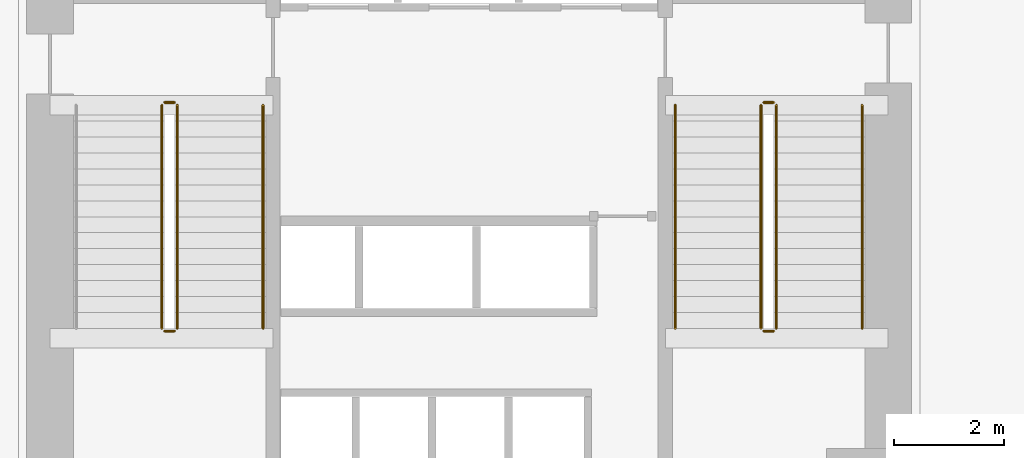
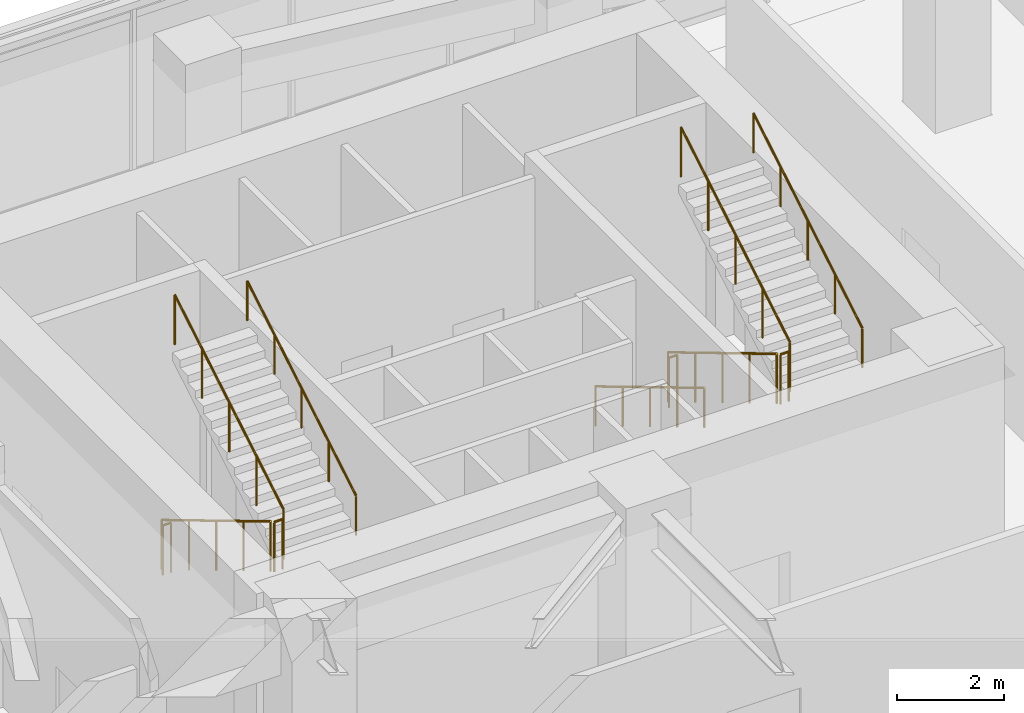
# One storey, part 17 of 18: 11 railings.
"""IFC4 building model written with IfcOpenShell, lengths in metres."""

from ifc_helpers import new_model, si_unit, direction, frame, origin, origin_2d, place, context, subcontext, project, spatial, circle, extrude, material, type_object, element, save


model = new_model("IFC4")

# Units and contexts
model_context = context("Model", 3, precision=1e-05, world=origin(), true_north=direction((0.0, 1.0)))
body_context = subcontext(model_context, "Body", "Model", "MODEL_VIEW")
ifc_project = project(units=[si_unit("LENGTHUNIT", "METRE"), si_unit("AREAUNIT", "SQUARE_METRE"), si_unit("VOLUMEUNIT", "CUBIC_METRE"), si_unit("PLANEANGLEUNIT", "RADIAN"), si_unit("MASSUNIT", "GRAM", prefix="KILO")], contexts=[model_context])

# Site, building, storey
site_placement = place(None, origin())
site = spatial("IfcSite", under=ifc_project, at=site_placement, CompositionType="ELEMENT")
building_placement = place(site_placement, origin())
building = spatial("IfcBuilding", under=site, at=building_placement, Name="Calvemar Wedge Station Tower", CompositionType="ELEMENT")
storey_placement = place(building_placement, frame((0.0, 0.0, 11.199951171875)))
storey = spatial("IfcBuildingStorey", under=building, at=storey_placement, Name="L03", CompositionType="ELEMENT", Elevation=11.199951171875)

# Railings
ifc_material_1 = material(Name="Stainless steel AISI 316L", Category="steel")
railing_type_1 = type_object("IfcRailingType", Name="RL-HANDRAIL-920", PredefinedType="HANDRAIL", material=ifc_material_1)
railing_1_placement = place(storey_placement, frame((20.050048828125, 37.090087890625, 2.7734375)))
element("IfcRailing", 1, at=railing_1_placement, inside=storey, type_object=railing_type_1, Name="L03 ST-C1 stair handrail 2", PredefinedType="HANDRAIL", context=body_context, shape_type="SweptSolid", body=[
    extrude(circle(Radius=0.02392578125, at=origin_2d()), frame((0.0, 0.0, 0.89599609375), z_axis=(0.0, 0.858366167383, 0.513037545109), x_axis=(-1.0, 0.0, 0.0)), (0.0, 0.0, 1.0), 4.729736328125),
    extrude(circle(Radius=0.02099609375, at=origin_2d()), origin(), (0.0, 0.0, 1.0), 0.871826171875),
    extrude(circle(Radius=0.02099609375, at=origin_2d()), frame((0.0, 1.014892578125, 0.606689453125)), (0.0, 0.0, 1.0), 0.871826171875),
    extrude(circle(Radius=0.02099609375, at=origin_2d()), frame((0.0, 2.02978515625, 1.21337890625)), (0.0, 0.0, 1.0), 0.871826171875),
    extrude(circle(Radius=0.02099609375, at=origin_2d()), frame((0.0, 3.044921875, 1.81982421875)), (0.0, 0.0, 1.0), 0.871826171875),
    extrude(circle(Radius=0.02099609375, at=origin_2d()), frame((0.0, 4.059814453125, 2.426513671875)), (0.0, 0.0, 1.0), 0.871826171875),
])
railing_2_placement = place(storey_placement, frame((27.550048828125, 41.14990234375, 0.17333984375)))
element("IfcRailing", 2, at=railing_2_placement, inside=storey, type_object=railing_type_1, Name="L03 ST-C2 stair handrail 1", PredefinedType="HANDRAIL", context=body_context, shape_type="SweptSolid", body=[
    extrude(circle(Radius=0.02392578125, at=origin_2d()), frame((0.0, 0.0, 0.89599609375), z_axis=(0.0, -0.858343435637, 0.513075575815), x_axis=(1.0, 0.0, 0.0)), (0.0, 0.0, 1.0), 4.729736328125),
    extrude(circle(Radius=0.02099609375, at=origin_2d()), origin(), (0.0, 0.0, 1.0), 0.871826171875),
    extrude(circle(Radius=0.02099609375, at=origin_2d()), frame((0.0, -1.014892578125, 0.606689453125)), (0.0, 0.0, 1.0), 0.871826171875),
    extrude(circle(Radius=0.02099609375, at=origin_2d()), frame((0.0, -2.02978515625, 1.21337890625)), (0.0, 0.0, 1.0), 0.871826171875),
    extrude(circle(Radius=0.02099609375, at=origin_2d()), frame((0.0, -3.044921875, 1.820068359375)), (0.0, 0.0, 1.0), 0.871826171875),
    extrude(circle(Radius=0.02099609375, at=origin_2d()), frame((0.0, -4.059814453125, 2.4267578125)), (0.0, 0.0, 1.0), 0.871826171875),
])
railing_3_placement = place(storey_placement, frame((30.949951171875, 37.090087890625, 2.7734375)))
element("IfcRailing", 3, at=railing_3_placement, inside=storey, type_object=railing_type_1, Name="L03 ST-C2 stair handrail 2", PredefinedType="HANDRAIL", context=body_context, shape_type="SweptSolid", body=[
    extrude(circle(Radius=0.02392578125, at=origin_2d()), frame((0.0, 0.0, 0.89599609375), z_axis=(0.0, 0.858366167383, 0.513037545109), x_axis=(-1.0, 0.0, 0.0)), (0.0, 0.0, 1.0), 4.729736328125),
    extrude(circle(Radius=0.02099609375, at=origin_2d()), origin(), (0.0, 0.0, 1.0), 0.871826171875),
    extrude(circle(Radius=0.02099609375, at=origin_2d()), frame((0.0, 1.014892578125, 0.606689453125)), (0.0, 0.0, 1.0), 0.871826171875),
    extrude(circle(Radius=0.02099609375, at=origin_2d()), frame((0.0, 2.02978515625, 1.21337890625)), (0.0, 0.0, 1.0), 0.871826171875),
    extrude(circle(Radius=0.02099609375, at=origin_2d()), frame((0.0, 3.044921875, 1.81982421875)), (0.0, 0.0, 1.0), 0.871826171875),
    extrude(circle(Radius=0.02099609375, at=origin_2d()), frame((0.0, 4.059814453125, 2.426513671875)), (0.0, 0.0, 1.0), 0.871826171875),
])
ifc_material_2 = material(Name="Painted steel guardrail ASTM A500 Grade C", Category="steel")
railing_type_2 = type_object("IfcRailingType", Name="RL-STAIR-GUARD-1150", PredefinedType="GUARDRAIL", material=ifc_material_2)
railing_4_placement = place(storey_placement, frame((18.2099609375, 41.14990234375, 0.17333984375)))
element("IfcRailing", 4, at=railing_4_placement, inside=storey, type_object=railing_type_2, Name="L03 ST-C1 stair guard 1", PredefinedType="GUARDRAIL", context=body_context, shape_type="SweptSolid", body=[
    extrude(circle(Radius=0.02392578125, at=origin_2d()), frame((0.0, 0.0, 1.1259765625), z_axis=(0.0, -0.858343435637, 0.513075575815), x_axis=(1.0, 0.0, 0.0)), (0.0, 0.0, 1.0), 4.729736328125),
    extrude(circle(Radius=0.02099609375, at=origin_2d()), origin(), (0.0, 0.0, 1.0), 1.101806640625),
    extrude(circle(Radius=0.02099609375, at=origin_2d()), frame((0.0, -1.014892578125, 0.606689453125)), (0.0, 0.0, 1.0), 1.101806640625),
    extrude(circle(Radius=0.02099609375, at=origin_2d()), frame((0.0, -2.02978515625, 1.21337890625)), (0.0, 0.0, 1.0), 1.101806640625),
    extrude(circle(Radius=0.02099609375, at=origin_2d()), frame((0.0, -3.044921875, 1.820068359375)), (0.0, 0.0, 1.0), 1.101806640625),
    extrude(circle(Radius=0.02099609375, at=origin_2d()), frame((0.0, -4.059814453125, 2.4267578125)), (0.0, 0.0, 1.0), 1.101806640625),
])
railing_5_placement = place(storey_placement, frame((18.260009765625, 37.0400390625, 2.60009765625)))
element("IfcRailing", 5, at=railing_5_placement, inside=storey, type_object=railing_type_2, Name="L03 ST-C1 stair guard 2", PredefinedType="GUARDRAIL", context=body_context, shape_type="SweptSolid", body=[
    extrude(circle(Radius=0.02392578125, at=origin_2d()), frame((0.0, 0.0, 1.1259765625), z_axis=(1.0, 0.0, 0.0), x_axis=(0.0, 1.0, 0.0)), (0.0, 0.0, 1.0), 0.179931640625),
    extrude(circle(Radius=0.02099609375, at=origin_2d()), origin(), (0.0, 0.0, 1.0), 1.101806640625),
    extrude(circle(Radius=0.02099609375, at=origin_2d()), frame((0.179931640625, 0.0, 0.0)), (0.0, 0.0, 1.0), 1.101806640625),
])
railing_6_placement = place(storey_placement, frame((18.489990234375, 37.090087890625, 2.7734375)))
element("IfcRailing", 6, at=railing_6_placement, inside=storey, type_object=railing_type_2, Name="L03 ST-C1 stair guard 3", PredefinedType="GUARDRAIL", context=body_context, shape_type="SweptSolid", body=[
    extrude(circle(Radius=0.02392578125, at=origin_2d()), frame((0.0, 0.0, 1.1259765625), z_axis=(0.0, 0.858366167383, 0.513037545109), x_axis=(-1.0, 0.0, 0.0)), (0.0, 0.0, 1.0), 4.729736328125),
    extrude(circle(Radius=0.02099609375, at=origin_2d()), origin(), (0.0, 0.0, 1.0), 1.101806640625),
    extrude(circle(Radius=0.02099609375, at=origin_2d()), frame((0.0, 1.014892578125, 0.606689453125)), (0.0, 0.0, 1.0), 1.101806640625),
    extrude(circle(Radius=0.02099609375, at=origin_2d()), frame((0.0, 2.02978515625, 1.21337890625)), (0.0, 0.0, 1.0), 1.101806640625),
    extrude(circle(Radius=0.02099609375, at=origin_2d()), frame((0.0, 3.044921875, 1.81982421875)), (0.0, 0.0, 1.0), 1.101806640625),
    extrude(circle(Radius=0.02099609375, at=origin_2d()), frame((0.0, 4.059814453125, 2.426513671875)), (0.0, 0.0, 1.0), 1.101806640625),
])
railing_7_placement = place(storey_placement, frame((18.260009765625, 41.199951171875, 0.0)))
element("IfcRailing", 7, at=railing_7_placement, inside=storey, type_object=railing_type_2, Name="L03 ST-C1 stair guard 4", PredefinedType="GUARDRAIL", context=body_context, shape_type="SweptSolid", body=[
    extrude(circle(Radius=0.02392578125, at=origin_2d()), frame((0.0, 0.0, 1.1259765625), z_axis=(1.0, 0.0, 0.0), x_axis=(0.0, 1.0, 0.0)), (0.0, 0.0, 1.0), 0.179931640625),
    extrude(circle(Radius=0.02099609375, at=origin_2d()), origin(), (0.0, 0.0, 1.0), 1.101806640625),
    extrude(circle(Radius=0.02099609375, at=origin_2d()), frame((0.179931640625, 0.0, 0.0)), (0.0, 0.0, 1.0), 1.101806640625),
])
railing_8_placement = place(storey_placement, frame((29.110107421875, 41.14990234375, 0.17333984375)))
element("IfcRailing", 8, at=railing_8_placement, inside=storey, type_object=railing_type_2, Name="L03 ST-C2 stair guard 1", PredefinedType="GUARDRAIL", context=body_context, shape_type="SweptSolid", body=[
    extrude(circle(Radius=0.02392578125, at=origin_2d()), frame((0.0, 0.0, 1.1259765625), z_axis=(0.0, -0.858343435637, 0.513075575815), x_axis=(1.0, 0.0, 0.0)), (0.0, 0.0, 1.0), 4.729736328125),
    extrude(circle(Radius=0.02099609375, at=origin_2d()), origin(), (0.0, 0.0, 1.0), 1.101806640625),
    extrude(circle(Radius=0.02099609375, at=origin_2d()), frame((0.0, -1.014892578125, 0.606689453125)), (0.0, 0.0, 1.0), 1.101806640625),
    extrude(circle(Radius=0.02099609375, at=origin_2d()), frame((0.0, -2.02978515625, 1.21337890625)), (0.0, 0.0, 1.0), 1.101806640625),
    extrude(circle(Radius=0.02099609375, at=origin_2d()), frame((0.0, -3.044921875, 1.820068359375)), (0.0, 0.0, 1.0), 1.101806640625),
    extrude(circle(Radius=0.02099609375, at=origin_2d()), frame((0.0, -4.059814453125, 2.4267578125)), (0.0, 0.0, 1.0), 1.101806640625),
])
railing_9_placement = place(storey_placement, frame((29.159912109375, 37.0400390625, 2.60009765625)))
element("IfcRailing", 9, at=railing_9_placement, inside=storey, type_object=railing_type_2, Name="L03 ST-C2 stair guard 2", PredefinedType="GUARDRAIL", context=body_context, shape_type="SweptSolid", body=[
    extrude(circle(Radius=0.02392578125, at=origin_2d()), frame((0.0, 0.0, 1.1259765625), z_axis=(1.0, 0.0, 0.0), x_axis=(0.0, 1.0, 0.0)), (0.0, 0.0, 1.0), 0.18017578125),
    extrude(circle(Radius=0.02099609375, at=origin_2d()), origin(), (0.0, 0.0, 1.0), 1.101806640625),
    extrude(circle(Radius=0.02099609375, at=origin_2d()), frame((0.18017578125, 0.0, 0.0)), (0.0, 0.0, 1.0), 1.101806640625),
])
railing_10_placement = place(storey_placement, frame((29.389892578125, 37.090087890625, 2.7734375)))
element("IfcRailing", 10, at=railing_10_placement, inside=storey, type_object=railing_type_2, Name="L03 ST-C2 stair guard 3", PredefinedType="GUARDRAIL", context=body_context, shape_type="SweptSolid", body=[
    extrude(circle(Radius=0.02392578125, at=origin_2d()), frame((0.0, 0.0, 1.1259765625), z_axis=(0.0, 0.858366167383, 0.513037545109), x_axis=(-1.0, 0.0, 0.0)), (0.0, 0.0, 1.0), 4.729736328125),
    extrude(circle(Radius=0.02099609375, at=origin_2d()), origin(), (0.0, 0.0, 1.0), 1.101806640625),
    extrude(circle(Radius=0.02099609375, at=origin_2d()), frame((0.0, 1.014892578125, 0.606689453125)), (0.0, 0.0, 1.0), 1.101806640625),
    extrude(circle(Radius=0.02099609375, at=origin_2d()), frame((0.0, 2.02978515625, 1.21337890625)), (0.0, 0.0, 1.0), 1.101806640625),
    extrude(circle(Radius=0.02099609375, at=origin_2d()), frame((0.0, 3.044921875, 1.81982421875)), (0.0, 0.0, 1.0), 1.101806640625),
    extrude(circle(Radius=0.02099609375, at=origin_2d()), frame((0.0, 4.059814453125, 2.426513671875)), (0.0, 0.0, 1.0), 1.101806640625),
])
railing_11_placement = place(storey_placement, frame((29.159912109375, 41.199951171875, 0.0)))
element("IfcRailing", 11, at=railing_11_placement, inside=storey, type_object=railing_type_2, Name="L03 ST-C2 stair guard 4", PredefinedType="GUARDRAIL", context=body_context, shape_type="SweptSolid", body=[
    extrude(circle(Radius=0.02392578125, at=origin_2d()), frame((0.0, 0.0, 1.1259765625), z_axis=(1.0, 0.0, 0.0), x_axis=(0.0, 1.0, 0.0)), (0.0, 0.0, 1.0), 0.18017578125),
    extrude(circle(Radius=0.02099609375, at=origin_2d()), origin(), (0.0, 0.0, 1.0), 1.101806640625),
    extrude(circle(Radius=0.02099609375, at=origin_2d()), frame((0.18017578125, 0.0, 0.0)), (0.0, 0.0, 1.0), 1.101806640625),
])

save(model, "model.ifc")
